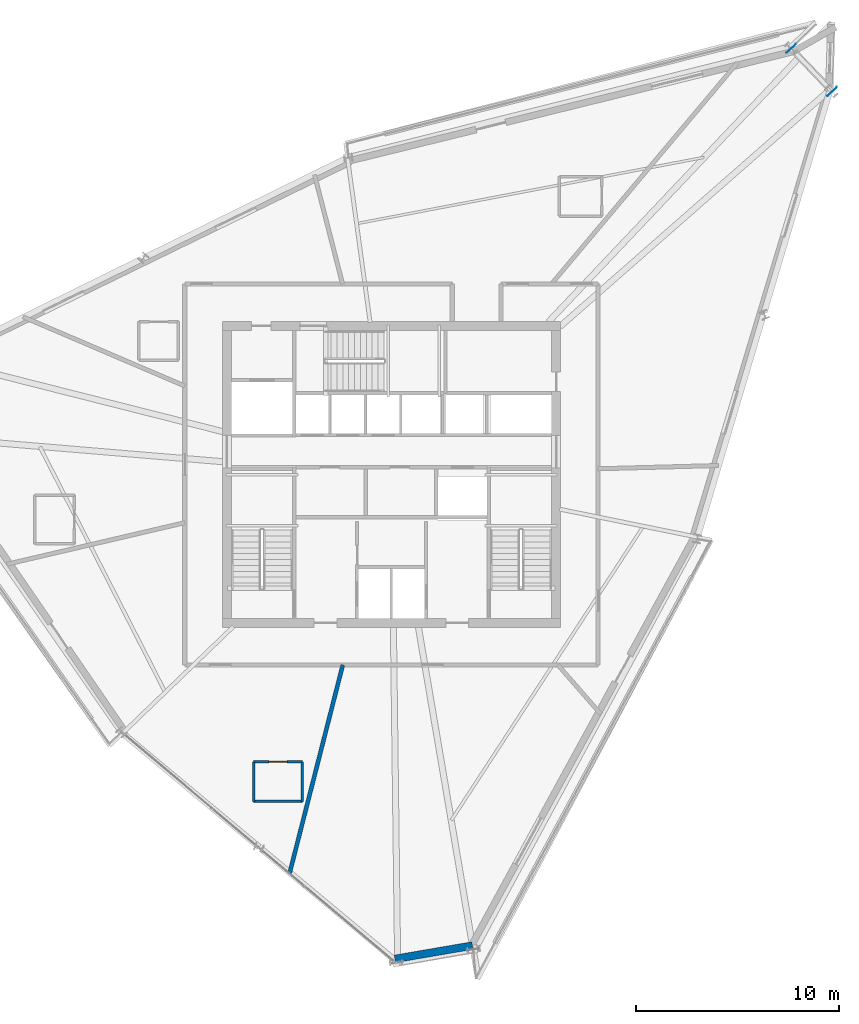
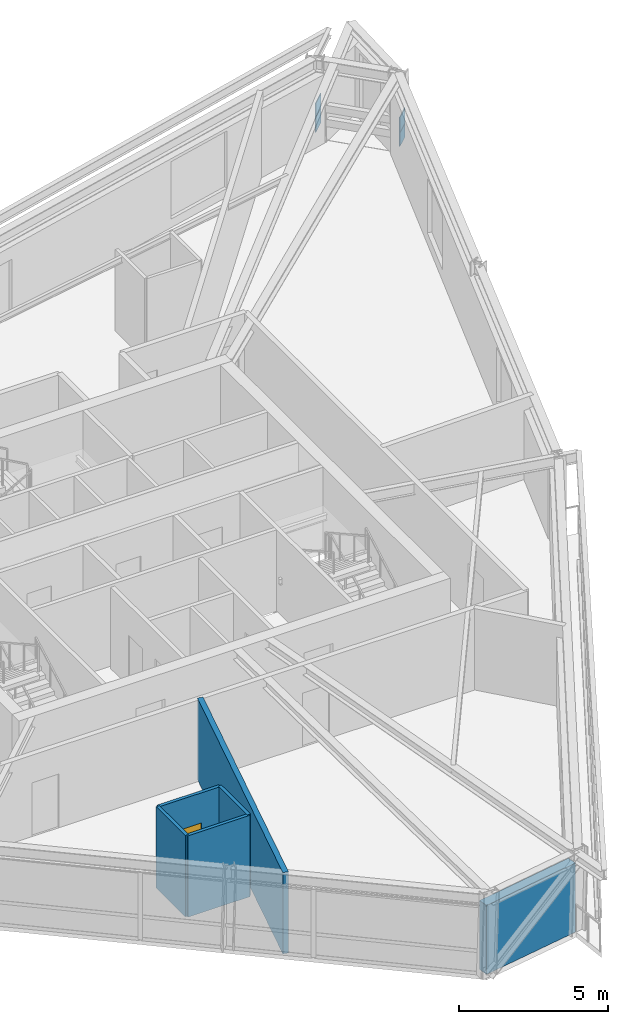
# One storey, part 7 of 14: 6 walls, 4 plates, 1 door, 1 opening.
"""IFC4 building model written with IfcOpenShell, lengths in metres."""

from ifc_helpers import new_model, si_unit, direction, frame, frame_2d, origin, origin_2d, place, context, subcontext, project, spatial, rectangle, extrude, source, transform, mapped, material, layer, layer_set, type_object, type_shapes, element, fill, save


model = new_model("IFC4")

# Units and contexts
model_context = context("Model", 3, precision=1e-05, world=origin(), true_north=direction((0.0, 1.0)))
body_context = subcontext(model_context, "Body", "Model", "MODEL_VIEW")
ifc_project = project(units=[si_unit("LENGTHUNIT", "METRE"), si_unit("AREAUNIT", "SQUARE_METRE"), si_unit("VOLUMEUNIT", "CUBIC_METRE"), si_unit("PLANEANGLEUNIT", "RADIAN"), si_unit("MASSUNIT", "GRAM", prefix="KILO")], contexts=[model_context])

# Site, building, storey
site_placement = place(None, origin())
site = spatial("IfcSite", under=ifc_project, at=site_placement, CompositionType="ELEMENT")
building_placement = place(site_placement, origin())
building = spatial("IfcBuilding", under=site, at=building_placement, Name="Olszyna Solenne Hotel", CompositionType="ELEMENT")
storey_placement = place(building_placement, frame((0.0, 0.0, 216.699951171875)))
storey = spatial("IfcBuildingStorey", under=building, at=storey_placement, Name="L57", CompositionType="ELEMENT", Elevation=216.699951171875)

# Plates
ifc_material_1 = material(Name="Steel S460M", Category="steel")
plate_type = type_object("IfcPlateType", Name="GP-CAP2", PredefinedType="USERDEFINED", material=ifc_material_1)
shared_shape_1 = source(origin(), body_context, "Body", "SweptSolid", [
    extrude(rectangle(XDim=0.030029296875, YDim=0.6201171875, at=origin_2d()), origin(), (0.0, 0.0, 1.0), 0.6201171875),
])
for number, where, z_axis, x_axis, name in (
    (1, (59.748779296875, 45.492431640625, 1.0400390625), (0.0, 0.0, 1.0), (-0.689619543736, 0.724171861437, 0.0), "Hollow section end-cap plate GP-CAP2 CP-PR-M-L57-PR1-1"),
    (2, (57.722900390625, 47.619873046875, 1.0400390625), (0.0, 0.0, 1.0), (-0.689619543736, 0.724171861437, 0.0), "Hollow section end-cap plate GP-CAP2 CP-PR-M-L57-PR1-2"),
    (3, (59.748779296875, 45.492431640625, 0.469970703125), (0.0, 0.0, 1.0), (-0.689619543736, 0.724171861437, 0.0), "Hollow section end-cap plate GP-CAP2 CP-PR-M-L57-PR2-1"),
    (4, (57.722900390625, 47.619873046875, 0.469970703125), (0.0, 0.0, 1.0), (-0.689619543736, 0.724171861437, 0.0), "Hollow section end-cap plate GP-CAP2 CP-PR-M-L57-PR2-2"),
):
    element("IfcPlate", number, at=place(storey_placement, frame(where, z_axis=z_axis, x_axis=x_axis)), inside=storey, type_object=plate_type, Name=name, ObjectType="GUSSET_PLATE", PredefinedType="USERDEFINED", context=body_context, shape_type="MappedRepresentation", body=[
        mapped(shared_shape_1, transform((0.0, 0.0, 0.0), x_axis=(1.0, 0.0, 0.0), y_axis=(0.0, 1.0, 0.0), z_axis=(0.0, 0.0, 1.0), scale=1.0)),
    ])

# Walls
ifc_material_2 = material(Name="Terracotta cladding on precast concrete C45/55", Category="masonry")
ifc_layer_1 = layer(ifc_material_2, 0.3798828125, Name="Terracotta cladding on precast concrete C45/55")
ifc_layer_set_1 = layer_set([ifc_layer_1], Name="Terracotta cladding on precast concrete C45/55")
wall_type_1 = type_object("IfcWallType", Name="WL-EX380", PredefinedType="SOLIDWALL", material=ifc_layer_set_1)
wall_1_placement = place(storey_placement, frame((41.993408203125, 3.347900390625, 0.0), z_axis=(0.0, 0.0, 1.0), x_axis=(-0.985564143449, -0.169302448737, 0.0)))
element("IfcWall", 5, at=wall_1_placement, inside=storey, type_object=wall_type_1, Name="Exterior terracotta-precast frame wall WL-EX380 EW-L57-02", PredefinedType="SOLIDWALL", context=body_context, shape_type="SweptSolid", body=[
    extrude(rectangle(XDim=3.882080078125, YDim=0.3798828125, at=frame_2d((1.94091796875, 0.0))), origin(), (0.0, 0.0, 1.0), 2.822021484375),
])
ifc_material_3 = material(Name="Acoustic gypsum partition", Category="gypsum")
ifc_layer_2 = layer(ifc_material_3, 0.125, Name="Acoustic gypsum partition")
ifc_layer_set_2 = layer_set([ifc_layer_2], Name="Acoustic gypsum partition")
wall_type_2 = type_object("IfcWallType", Name="WL-PT125", PredefinedType="PARTITIONING", material=ifc_layer_set_2)
wall_2_placement = place(storey_placement, frame((33.597900390625, 10.468994140625, 0.0), z_axis=(0.0, 0.0, 1.0), x_axis=(0.0, 1.0, 0.0)))
element("IfcWall", 6, at=wall_2_placement, inside=storey, type_object=wall_type_2, Name="Interior acoustic partition WL-PT125 PW-L57-3175", PredefinedType="PARTITIONING", context=body_context, shape_type="SweptSolid", body=[
    extrude(rectangle(XDim=1.949951171875, YDim=0.125, at=frame_2d((0.97509765625, 0.0))), origin(), (0.0, 0.0, 1.0), 3.330078125),
])

# Wall, opening, door
wall_3_placement = place(storey_placement, frame((33.597900390625, 12.4189453125, 0.0), z_axis=(0.0, 0.0, 1.0), x_axis=(-1.0, 0.0, 0.0)))
wall_3 = element("IfcWall", 7, at=wall_3_placement, inside=storey, type_object=wall_type_2, Name="Interior acoustic partition WL-PT125 PW-L57-3176", PredefinedType="PARTITIONING", context=body_context, shape_type="SweptSolid", body=[
    extrude(rectangle(XDim=2.39990234375, YDim=0.125, at=frame_2d((1.199951171875, 0.0))), origin(), (0.0, 0.0, 1.0), 3.330078125),
])
opening_placement = place(wall_3_placement, frame((0.75, 0.0, 0.0)))
opening = element("IfcOpeningElement", 8, at=opening_placement, cuts=wall_3, Name="Opening DR-L57-0769", PredefinedType="OPENING", context=body_context, shape_type="SweptSolid", body=[
    extrude(rectangle(XDim=0.89990234375, YDim=2.10009765625, at=frame_2d((0.449951171875, 1.050048828125))), frame((0.0, 0.072509765625, 0.0), z_axis=(0.0, -1.0, 0.0), x_axis=(1.0, 0.0, 0.0)), (0.0, 0.0, 1.0), 0.14501953125),
])
ifc_material_4 = material(Name="Timber hardwood", Category="wood")
door_type = type_object("IfcDoorType", Name="DR-WC1", OperationType="NOTDEFINED", PredefinedType="DOOR", material=ifc_material_4)
shared_shape_2 = source(origin(), body_context, "Body", "SweptSolid", [
    extrude(rectangle(XDim=0.89990234375, YDim=2.10009765625, at=frame_2d((0.449951171875, 1.050048828125))), frame((0.0, 0.02490234375, 0.0), z_axis=(0.0, -1.0, 0.0), x_axis=(1.0, 0.0, 0.0)), (0.0, 0.0, 1.0), 0.050048828125),
])
type_shapes(door_type, [shared_shape_2])
door_placement = place(opening_placement, origin())
door = element("IfcDoor", 9, at=door_placement, inside=storey, type_object=door_type, Name="En-Suite Bathroom Door DR-L57-0769", OperationType="SINGLE_SWING_RIGHT", OverallHeight=2.10009765625, OverallWidth=0.89990234375, PredefinedType="DOOR", context=body_context, shape_type="MappedRepresentation", body=[
    mapped(shared_shape_2, transform((0.0, 0.0, 0.0), x_axis=(1.0, 0.0, 0.0), y_axis=(0.0, 1.0, 0.0), z_axis=(0.0, 0.0, 1.0), scale=1.0)),
])
fill(opening, door)

# Walls
wall_4_placement = place(storey_placement, frame((31.197998046875, 12.4189453125, 0.0), z_axis=(0.0, 0.0, 1.0), x_axis=(0.0, -1.0, 0.0)))
element("IfcWall", 10, at=wall_4_placement, inside=storey, type_object=wall_type_2, Name="Interior acoustic partition WL-PT125 PW-L57-3177", PredefinedType="PARTITIONING", context=body_context, shape_type="SweptSolid", body=[
    extrude(rectangle(XDim=1.949951171875, YDim=0.125, at=frame_2d((0.97509765625, 0.0))), origin(), (0.0, 0.0, 1.0), 3.330078125),
])
wall_5_placement = place(storey_placement, frame((31.197998046875, 10.468994140625, 0.0), z_axis=(0.0, 0.0, 1.0), x_axis=(1.0, 0.0, 0.0)))
element("IfcWall", 11, at=wall_5_placement, inside=storey, type_object=wall_type_2, Name="Interior acoustic partition WL-PT125 PW-L57-3178", PredefinedType="PARTITIONING", context=body_context, shape_type="SweptSolid", body=[
    extrude(rectangle(XDim=2.39990234375, YDim=0.125, at=frame_2d((1.199951171875, 0.0))), origin(), (0.0, 0.0, 1.0), 3.330078125),
])
ifc_layer_3 = layer(ifc_material_3, 0.199951171875, Name="Acoustic gypsum partition")
ifc_layer_set_3 = layer_set([ifc_layer_3], Name="Acoustic gypsum partition")
wall_type_3 = type_object("IfcWallType", Name="WL-PT200", PredefinedType="PARTITIONING", material=ifc_layer_set_3)
wall_6_placement = place(storey_placement, frame((35.598876953125, 17.199951171875, 0.0), z_axis=(0.0, 0.0, 1.0), x_axis=(-0.247488188627, -0.968890910521, 0.0)))
element("IfcWall", 12, at=wall_6_placement, inside=storey, type_object=wall_type_3, Name="Interior acoustic partition WL-PT200 PW-L57-3169", PredefinedType="PARTITIONING", context=body_context, shape_type="SweptSolid", body=[
    extrude(rectangle(XDim=10.5947265625, YDim=0.199951171875, at=frame_2d((5.29736328125, 0.0))), origin(), (0.0, 0.0, 1.0), 3.330078125),
])

save(model, "model.ifc")
